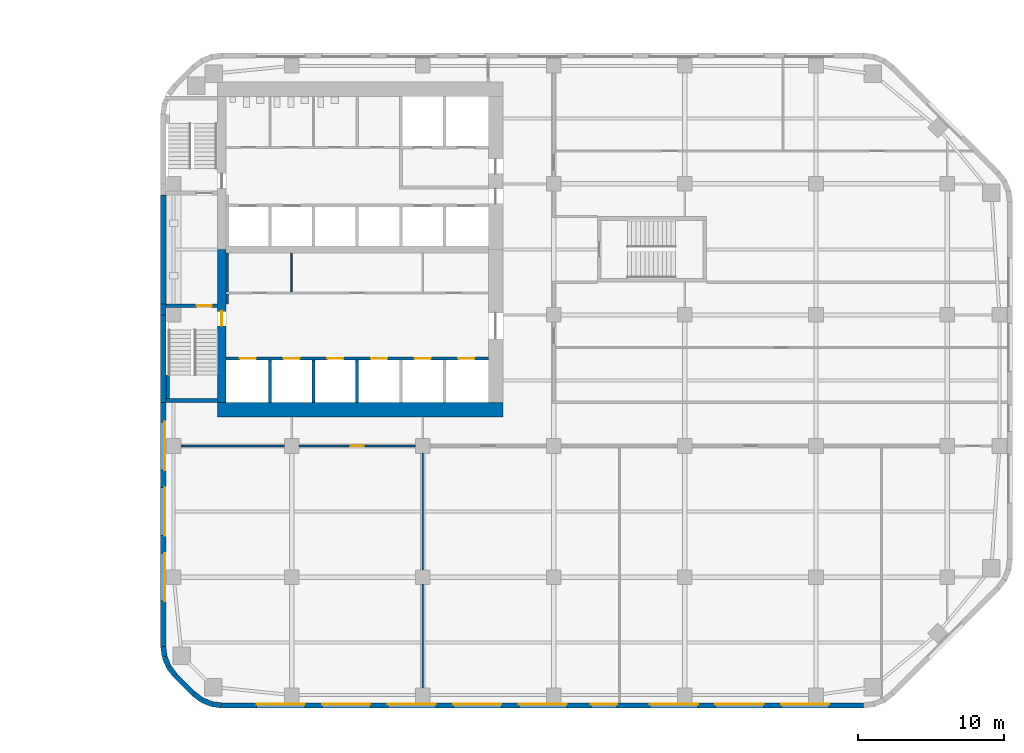
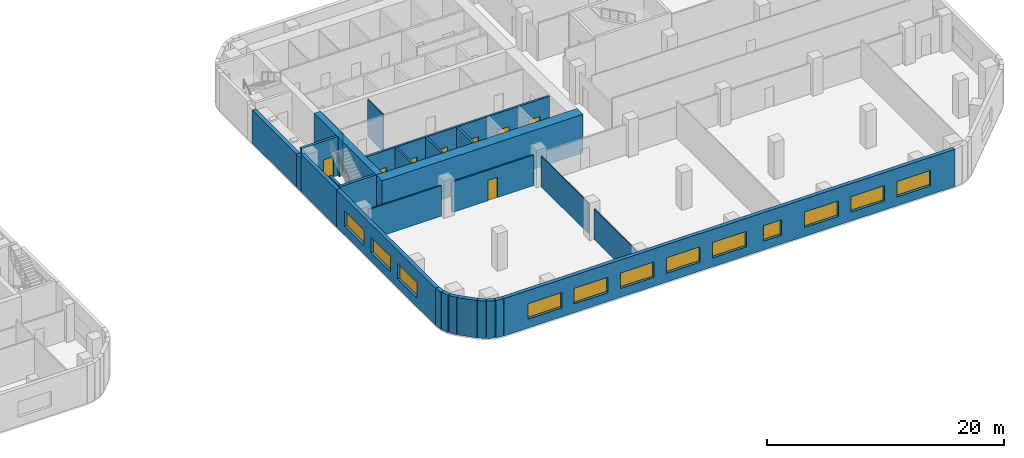
# One storey, part 8 of 15: 28 walls, 12 windows, 9 doors, 21 openings.
"""IFC4 building model written with IfcOpenShell, lengths in metres."""

from ifc_helpers import new_model, si_unit, direction, frame, frame_2d, origin, place, context, subcontext, project, spatial, rectangle, extrude, material, layer, layer_set, type_object, element, fill, save


model = new_model("IFC4")

# Units and contexts
model_context = context("Model", 3, precision=1e-05, world=origin(), true_north=direction((0.0, 1.0)))
body_context = subcontext(model_context, "Body", "Model", "MODEL_VIEW")
ifc_project = project(units=[si_unit("LENGTHUNIT", "METRE"), si_unit("AREAUNIT", "SQUARE_METRE"), si_unit("VOLUMEUNIT", "CUBIC_METRE"), si_unit("PLANEANGLEUNIT", "RADIAN"), si_unit("MASSUNIT", "GRAM", prefix="KILO")], contexts=[model_context])

# Site, building, storey
site_placement = place(None, origin())
site = spatial("IfcSite", under=ifc_project, at=site_placement, CompositionType="ELEMENT")
building_placement = place(site_placement, origin())
building = spatial("IfcBuilding", under=site, at=building_placement, Name="Cinnabar Reach Civic Tower", CompositionType="ELEMENT")
storey_placement = place(building_placement, frame((0.0, 0.0, 67.0)))
storey = spatial("IfcBuildingStorey", under=building, at=storey_placement, Name="L15", CompositionType="ELEMENT", Elevation=67.0)

# Walls
ifc_material_1 = material(Name="Facing brick with insulated backing", Category="masonry")
ifc_layer_1 = layer(ifc_material_1, 0.36)
ifc_layer_set_1 = layer_set([ifc_layer_1], Name="Brick corner wall")
wall_type_1 = type_object("IfcWallType", Name="Brick corner wall", PredefinedType="STANDARD", material=ifc_layer_set_1)
for number, where, z_axis, x_axis, name in (
    (1, (0.183, 4.2314, 0.0), (0.0, 0.0, 1.0), (0.13055608231, -0.99144092581, 0.0), "Brick corner wall"),
    (2, (0.2819, 3.5027, 0.0), (0.0, 0.0, 1.0), (0.382702709855, -0.923871547278, 0.0), "Brick corner wall"),
):
    element("IfcWall", number, at=place(storey_placement, frame(where, z_axis=z_axis, x_axis=x_axis)), inside=storey, type_object=wall_type_1, Name=name, PredefinedType="STANDARD", context=body_context, shape_type="SweptSolid", body=[
        extrude(rectangle(XDim=0.7131, YDim=0.36, at=frame_2d((0.3565, 0.0))), origin(), (0.0, 0.0, 1.0), 3.85),
    ])
for number, where, z_axis, x_axis, name in (
    (3, (0.566, 2.8245, 0.0), (0.0, 0.0, 1.0), (0.608802368033, -0.793321924995, 0.0), "Brick corner wall"),
    (4, (2.2587, 1.0002, 0.0), (0.0, 0.0, 1.0), (0.793321924995, -0.608802368033, 0.0), "Brick corner wall"),
):
    element("IfcWall", number, at=place(storey_placement, frame(where, z_axis=z_axis, x_axis=x_axis)), inside=storey, type_object=wall_type_1, Name=name, PredefinedType="STANDARD", context=body_context, shape_type="SweptSolid", body=[
        extrude(rectangle(XDim=0.7132, YDim=0.36, at=frame_2d((0.3566, 0.0))), origin(), (0.0, 0.0, 1.0), 3.85),
    ])
for number, where, z_axis, x_axis, name in (
    (5, (2.8439, 0.5548, 0.0), (0.0, 0.0, 1.0), (0.923871547278, -0.382702709855, 0.0), "Brick corner wall"),
    (6, (3.5244, 0.2761, 0.0), (0.0, 0.0, 1.0), (0.99144092581, -0.13055608231, 0.0), "Brick corner wall"),
):
    element("IfcWall", number, at=place(storey_placement, frame(where, z_axis=z_axis, x_axis=x_axis)), inside=storey, type_object=wall_type_1, Name=name, PredefinedType="STANDARD", context=body_context, shape_type="SweptSolid", body=[
        extrude(rectangle(XDim=0.7131, YDim=0.36, at=frame_2d((0.3565, 0.0))), origin(), (0.0, 0.0, 1.0), 3.85),
    ])

# Wall, openings, windows
ifc_layer_2 = layer(ifc_material_1, 0.36)
ifc_layer_set_2 = layer_set([ifc_layer_2], Name="Brick pier and spandrel wall")
wall_type_2 = type_object("IfcWallType", Name="Brick pier and spandrel wall", PredefinedType="STANDARD", material=ifc_layer_set_2)
wall_1_placement = place(storey_placement, frame((4.2426, 0.18, 0.0), z_axis=(0.0, 0.0, 1.0), x_axis=(1.0, 0.0, 0.0)))
wall_1 = element("IfcWall", 7, at=wall_1_placement, inside=storey, type_object=wall_type_2, Name="Brick facade wall", PredefinedType="STANDARD", context=body_context, shape_type="SweptSolid", body=[
    extrude(rectangle(XDim=44.0148, YDim=0.36, at=frame_2d((22.0074, 0.0))), origin(), (0.0, 0.0, 1.0), 3.85),
])
opening_1_placement = place(wall_1_placement, frame((2.3574, 0.0, 0.9)))
opening_1 = element("IfcOpeningElement", 8, at=opening_1_placement, cuts=wall_1, Name="Opening W1267", PredefinedType="OPENING", context=body_context, shape_type="SweptSolid", body=[
    extrude(rectangle(XDim=3.3, YDim=1.6, at=frame_2d((1.65, 0.8))), frame((0.0, 0.19, 0.0), z_axis=(0.0, -1.0, 0.0), x_axis=(1.0, 0.0, 0.0)), (0.0, 0.0, 1.0), 0.38),
])
opening_2_placement = place(wall_1_placement, frame((6.8574, 0.0, 0.9)))
opening_2 = element("IfcOpeningElement", 9, at=opening_2_placement, cuts=wall_1, Name="Opening W1268", PredefinedType="OPENING", context=body_context, shape_type="SweptSolid", body=[
    extrude(rectangle(XDim=3.3, YDim=1.6, at=frame_2d((1.65, 0.8))), frame((0.0, 0.19, 0.0), z_axis=(0.0, -1.0, 0.0), x_axis=(1.0, 0.0, 0.0)), (0.0, 0.0, 1.0), 0.38),
])
opening_3_placement = place(wall_1_placement, frame((11.3574, 0.0, 0.9)))
opening_3 = element("IfcOpeningElement", 10, at=opening_3_placement, cuts=wall_1, Name="Opening W1269", PredefinedType="OPENING", context=body_context, shape_type="SweptSolid", body=[
    extrude(rectangle(XDim=3.3, YDim=1.6, at=frame_2d((1.65, 0.8))), frame((0.0, 0.19, 0.0), z_axis=(0.0, -1.0, 0.0), x_axis=(1.0, 0.0, 0.0)), (0.0, 0.0, 1.0), 0.38),
])
opening_4_placement = place(wall_1_placement, frame((15.8574, 0.0, 0.9)))
opening_4 = element("IfcOpeningElement", 11, at=opening_4_placement, cuts=wall_1, Name="Opening W1270", PredefinedType="OPENING", context=body_context, shape_type="SweptSolid", body=[
    extrude(rectangle(XDim=3.3, YDim=1.6, at=frame_2d((1.65, 0.8))), frame((0.0, 0.19, 0.0), z_axis=(0.0, -1.0, 0.0), x_axis=(1.0, 0.0, 0.0)), (0.0, 0.0, 1.0), 0.38),
])
opening_5_placement = place(wall_1_placement, frame((20.3574, 0.0, 0.9)))
opening_5 = element("IfcOpeningElement", 12, at=opening_5_placement, cuts=wall_1, Name="Opening W1271", PredefinedType="OPENING", context=body_context, shape_type="SweptSolid", body=[
    extrude(rectangle(XDim=3.3, YDim=1.6, at=frame_2d((1.65, 0.8))), frame((0.0, 0.19, 0.0), z_axis=(0.0, -1.0, 0.0), x_axis=(1.0, 0.0, 0.0)), (0.0, 0.0, 1.0), 0.38),
])
opening_6_placement = place(wall_1_placement, frame((25.3074, 0.0, 0.9)))
opening_6 = element("IfcOpeningElement", 13, at=opening_6_placement, cuts=wall_1, Name="Opening W1272", PredefinedType="OPENING", context=body_context, shape_type="SweptSolid", body=[
    extrude(rectangle(XDim=1.8, YDim=1.6, at=frame_2d((0.9, 0.8))), frame((0.0, 0.19, 0.0), z_axis=(0.0, -1.0, 0.0), x_axis=(1.0, 0.0, 0.0)), (0.0, 0.0, 1.0), 0.38),
])
opening_7_placement = place(wall_1_placement, frame((29.3574, 0.0, 0.9)))
opening_7 = element("IfcOpeningElement", 14, at=opening_7_placement, cuts=wall_1, Name="Opening W1273", PredefinedType="OPENING", context=body_context, shape_type="SweptSolid", body=[
    extrude(rectangle(XDim=3.3, YDim=1.6, at=frame_2d((1.65, 0.8))), frame((0.0, 0.19, 0.0), z_axis=(0.0, -1.0, 0.0), x_axis=(1.0, 0.0, 0.0)), (0.0, 0.0, 1.0), 0.38),
])
opening_8_placement = place(wall_1_placement, frame((33.8574, 0.0, 0.9)))
opening_8 = element("IfcOpeningElement", 15, at=opening_8_placement, cuts=wall_1, Name="Opening W1274", PredefinedType="OPENING", context=body_context, shape_type="SweptSolid", body=[
    extrude(rectangle(XDim=3.3, YDim=1.6, at=frame_2d((1.65, 0.8))), frame((0.0, 0.19, 0.0), z_axis=(0.0, -1.0, 0.0), x_axis=(1.0, 0.0, 0.0)), (0.0, 0.0, 1.0), 0.38),
])
opening_9_placement = place(wall_1_placement, frame((38.3574, 0.0, 0.9)))
opening_9 = element("IfcOpeningElement", 16, at=opening_9_placement, cuts=wall_1, Name="Opening W1275", PredefinedType="OPENING", context=body_context, shape_type="SweptSolid", body=[
    extrude(rectangle(XDim=3.3, YDim=1.6, at=frame_2d((1.65, 0.8))), frame((0.0, 0.19, 0.0), z_axis=(0.0, -1.0, 0.0), x_axis=(1.0, 0.0, 0.0)), (0.0, 0.0, 1.0), 0.38),
])
ifc_material_2 = material(Name="Clear double glazing in aluminium frame", Category="aluminium")
window_type_1 = type_object("IfcWindowType", Name="Deep-set window A", PartitioningType="SINGLE_PANEL", PredefinedType="WINDOW", material=ifc_material_2)
window_1_placement = place(opening_1_placement, origin())
window_1 = element("IfcWindow", 17, at=window_1_placement, inside=storey, type_object=window_type_1, Name="Window south face", OverallHeight=1.6, OverallWidth=3.3, PartitioningType="SINGLE_PANEL", PredefinedType="WINDOW", context=body_context, shape_type="SweptSolid", body=[
    extrude(rectangle(XDim=3.3, YDim=1.6, at=frame_2d((1.65, 0.8))), frame((0.0, 0.13, 0.0), z_axis=(0.0, -1.0, 0.0), x_axis=(1.0, 0.0, 0.0)), (0.0, 0.0, 1.0), 0.06),
])
fill(opening_1, window_1)
window_2_placement = place(opening_2_placement, origin())
window_2 = element("IfcWindow", 18, at=window_2_placement, inside=storey, type_object=window_type_1, Name="Window south face", OverallHeight=1.6, OverallWidth=3.3, PartitioningType="SINGLE_PANEL", PredefinedType="WINDOW", context=body_context, shape_type="SweptSolid", body=[
    extrude(rectangle(XDim=3.3, YDim=1.6, at=frame_2d((1.65, 0.8))), frame((0.0, 0.13, 0.0), z_axis=(0.0, -1.0, 0.0), x_axis=(1.0, 0.0, 0.0)), (0.0, 0.0, 1.0), 0.06),
])
fill(opening_2, window_2)
window_3_placement = place(opening_3_placement, origin())
window_3 = element("IfcWindow", 19, at=window_3_placement, inside=storey, type_object=window_type_1, Name="Window south face", OverallHeight=1.6, OverallWidth=3.3, PartitioningType="SINGLE_PANEL", PredefinedType="WINDOW", context=body_context, shape_type="SweptSolid", body=[
    extrude(rectangle(XDim=3.3, YDim=1.6, at=frame_2d((1.65, 0.8))), frame((0.0, 0.13, 0.0), z_axis=(0.0, -1.0, 0.0), x_axis=(1.0, 0.0, 0.0)), (0.0, 0.0, 1.0), 0.06),
])
fill(opening_3, window_3)
window_4_placement = place(opening_4_placement, origin())
window_4 = element("IfcWindow", 20, at=window_4_placement, inside=storey, type_object=window_type_1, Name="Window south face", OverallHeight=1.6, OverallWidth=3.3, PartitioningType="SINGLE_PANEL", PredefinedType="WINDOW", context=body_context, shape_type="SweptSolid", body=[
    extrude(rectangle(XDim=3.3, YDim=1.6, at=frame_2d((1.65, 0.8))), frame((0.0, 0.13, 0.0), z_axis=(0.0, -1.0, 0.0), x_axis=(1.0, 0.0, 0.0)), (0.0, 0.0, 1.0), 0.06),
])
fill(opening_4, window_4)
window_5_placement = place(opening_5_placement, origin())
window_5 = element("IfcWindow", 21, at=window_5_placement, inside=storey, type_object=window_type_1, Name="Window south face", OverallHeight=1.6, OverallWidth=3.3, PartitioningType="SINGLE_PANEL", PredefinedType="WINDOW", context=body_context, shape_type="SweptSolid", body=[
    extrude(rectangle(XDim=3.3, YDim=1.6, at=frame_2d((1.65, 0.8))), frame((0.0, 0.13, 0.0), z_axis=(0.0, -1.0, 0.0), x_axis=(1.0, 0.0, 0.0)), (0.0, 0.0, 1.0), 0.06),
])
fill(opening_5, window_5)
window_6_placement = place(opening_7_placement, origin())
window_6 = element("IfcWindow", 22, at=window_6_placement, inside=storey, type_object=window_type_1, Name="Window south face", OverallHeight=1.6, OverallWidth=3.3, PartitioningType="SINGLE_PANEL", PredefinedType="WINDOW", context=body_context, shape_type="SweptSolid", body=[
    extrude(rectangle(XDim=3.3, YDim=1.6, at=frame_2d((1.65, 0.8))), frame((0.0, 0.13, 0.0), z_axis=(0.0, -1.0, 0.0), x_axis=(1.0, 0.0, 0.0)), (0.0, 0.0, 1.0), 0.06),
])
fill(opening_7, window_6)
window_7_placement = place(opening_8_placement, origin())
window_7 = element("IfcWindow", 23, at=window_7_placement, inside=storey, type_object=window_type_1, Name="Window south face", OverallHeight=1.6, OverallWidth=3.3, PartitioningType="SINGLE_PANEL", PredefinedType="WINDOW", context=body_context, shape_type="SweptSolid", body=[
    extrude(rectangle(XDim=3.3, YDim=1.6, at=frame_2d((1.65, 0.8))), frame((0.0, 0.13, 0.0), z_axis=(0.0, -1.0, 0.0), x_axis=(1.0, 0.0, 0.0)), (0.0, 0.0, 1.0), 0.06),
])
fill(opening_8, window_7)
window_8_placement = place(opening_9_placement, origin())
window_8 = element("IfcWindow", 24, at=window_8_placement, inside=storey, type_object=window_type_1, Name="Window south face", OverallHeight=1.6, OverallWidth=3.3, PartitioningType="SINGLE_PANEL", PredefinedType="WINDOW", context=body_context, shape_type="SweptSolid", body=[
    extrude(rectangle(XDim=3.3, YDim=1.6, at=frame_2d((1.65, 0.8))), frame((0.0, 0.13, 0.0), z_axis=(0.0, -1.0, 0.0), x_axis=(1.0, 0.0, 0.0)), (0.0, 0.0, 1.0), 0.06),
])
fill(opening_9, window_8)
window_type_2 = type_object("IfcWindowType", Name="Deep-set window D", PartitioningType="SINGLE_PANEL", PredefinedType="WINDOW", material=ifc_material_2)
window_9_placement = place(opening_6_placement, origin())
window_9 = element("IfcWindow", 25, at=window_9_placement, inside=storey, type_object=window_type_2, Name="Window south face", OverallHeight=1.6, OverallWidth=1.8, PartitioningType="SINGLE_PANEL", PredefinedType="WINDOW", context=body_context, shape_type="SweptSolid", body=[
    extrude(rectangle(XDim=1.8, YDim=1.6, at=frame_2d((0.9, 0.8))), frame((0.0, 0.13, 0.0), z_axis=(0.0, -1.0, 0.0), x_axis=(1.0, 0.0, 0.0)), (0.0, 0.0, 1.0), 0.06),
])
fill(opening_6, window_9)

# Walls
wall_2_placement = place(storey_placement, frame((0.18, 35.25, 0.0), z_axis=(0.0, 0.0, 1.0), x_axis=(0.0, -1.0, 0.0)))
element("IfcWall", 26, at=wall_2_placement, inside=storey, type_object=wall_type_2, Name="Brick facade wall", PredefinedType="STANDARD", context=body_context, shape_type="SweptSolid", body=[
    extrude(rectangle(XDim=7.5, YDim=0.36, at=frame_2d((3.75, 0.0))), origin(), (0.0, 0.0, 1.0), 3.436),
])
wall_3_placement = place(storey_placement, frame((0.18, 27.75, 0.0), z_axis=(0.0, 0.0, 1.0), x_axis=(0.0, -1.0, 0.0)))
element("IfcWall", 27, at=wall_3_placement, inside=storey, type_object=wall_type_2, Name="Brick facade wall", PredefinedType="STANDARD", context=body_context, shape_type="SweptSolid", body=[
    extrude(rectangle(XDim=0.75, YDim=0.36, at=frame_2d((0.375, 0.0))), origin(), (0.0, 0.0, 1.0), 3.436),
])
wall_4_placement = place(storey_placement, frame((0.18, 27.0, 0.0), z_axis=(0.0, 0.0, 1.0), x_axis=(0.0, -1.0, 0.0)))
element("IfcWall", 28, at=wall_4_placement, inside=storey, type_object=wall_type_2, Name="Brick facade wall", PredefinedType="STANDARD", context=body_context, shape_type="SweptSolid", body=[
    extrude(rectangle(XDim=6.0, YDim=0.36, at=frame_2d((3.0, 0.0))), origin(), (0.0, 0.0, 1.0), 3.85),
])

# Wall, openings, windows
wall_5_placement = place(storey_placement, frame((0.18, 21.0, 0.0), z_axis=(0.0, 0.0, 1.0), x_axis=(0.0, -1.0, 0.0)))
wall_5 = element("IfcWall", 29, at=wall_5_placement, inside=storey, type_object=wall_type_2, Name="Brick facade wall", PredefinedType="STANDARD", context=body_context, shape_type="SweptSolid", body=[
    extrude(rectangle(XDim=16.7574, YDim=0.36, at=frame_2d((8.3787, 0.0))), origin(), (0.0, 0.0, 1.0), 3.85),
])
opening_10_placement = place(wall_5_placement, frame((1.35, 0.0, 0.9)))
opening_10 = element("IfcOpeningElement", 30, at=opening_10_placement, cuts=wall_5, Name="Opening W1291", PredefinedType="OPENING", context=body_context, shape_type="SweptSolid", body=[
    extrude(rectangle(XDim=3.3, YDim=1.6, at=frame_2d((1.65, 0.8))), frame((0.0, 0.19, 0.0), z_axis=(0.0, -1.0, 0.0), x_axis=(1.0, 0.0, 0.0)), (0.0, 0.0, 1.0), 0.38),
])
opening_11_placement = place(wall_5_placement, frame((5.85, 0.0, 0.9)))
opening_11 = element("IfcOpeningElement", 31, at=opening_11_placement, cuts=wall_5, Name="Opening W1292", PredefinedType="OPENING", context=body_context, shape_type="SweptSolid", body=[
    extrude(rectangle(XDim=3.3, YDim=1.6, at=frame_2d((1.65, 0.8))), frame((0.0, 0.19, 0.0), z_axis=(0.0, -1.0, 0.0), x_axis=(1.0, 0.0, 0.0)), (0.0, 0.0, 1.0), 0.38),
])
opening_12_placement = place(wall_5_placement, frame((10.35, 0.0, 0.9)))
opening_12 = element("IfcOpeningElement", 32, at=opening_12_placement, cuts=wall_5, Name="Opening W1293", PredefinedType="OPENING", context=body_context, shape_type="SweptSolid", body=[
    extrude(rectangle(XDim=3.3, YDim=1.6, at=frame_2d((1.65, 0.8))), frame((0.0, 0.19, 0.0), z_axis=(0.0, -1.0, 0.0), x_axis=(1.0, 0.0, 0.0)), (0.0, 0.0, 1.0), 0.38),
])
window_10_placement = place(opening_10_placement, origin())
window_10 = element("IfcWindow", 33, at=window_10_placement, inside=storey, type_object=window_type_1, Name="Window west face", OverallHeight=1.6, OverallWidth=3.3, PartitioningType="SINGLE_PANEL", PredefinedType="WINDOW", context=body_context, shape_type="SweptSolid", body=[
    extrude(rectangle(XDim=3.3, YDim=1.6, at=frame_2d((1.65, 0.8))), frame((0.0, 0.13, 0.0), z_axis=(0.0, -1.0, 0.0), x_axis=(1.0, 0.0, 0.0)), (0.0, 0.0, 1.0), 0.06),
])
fill(opening_10, window_10)
window_11_placement = place(opening_11_placement, origin())
window_11 = element("IfcWindow", 34, at=window_11_placement, inside=storey, type_object=window_type_1, Name="Window west face", OverallHeight=1.6, OverallWidth=3.3, PartitioningType="SINGLE_PANEL", PredefinedType="WINDOW", context=body_context, shape_type="SweptSolid", body=[
    extrude(rectangle(XDim=3.3, YDim=1.6, at=frame_2d((1.65, 0.8))), frame((0.0, 0.13, 0.0), z_axis=(0.0, -1.0, 0.0), x_axis=(1.0, 0.0, 0.0)), (0.0, 0.0, 1.0), 0.06),
])
fill(opening_11, window_11)
window_12_placement = place(opening_12_placement, origin())
window_12 = element("IfcWindow", 35, at=window_12_placement, inside=storey, type_object=window_type_1, Name="Window west face", OverallHeight=1.6, OverallWidth=3.3, PartitioningType="SINGLE_PANEL", PredefinedType="WINDOW", context=body_context, shape_type="SweptSolid", body=[
    extrude(rectangle(XDim=3.3, YDim=1.6, at=frame_2d((1.65, 0.8))), frame((0.0, 0.13, 0.0), z_axis=(0.0, -1.0, 0.0), x_axis=(1.0, 0.0, 0.0)), (0.0, 0.0, 1.0), 0.06),
])
fill(opening_12, window_12)

# Walls
wall_6_placement = place(storey_placement, frame((1.006, 2.2486, 0.0), z_axis=(0.0, 0.0, 1.0), x_axis=(0.707106781187, -0.707106781187, 0.0)))
element("IfcWall", 36, at=wall_6_placement, inside=storey, type_object=wall_type_2, Name="Brick facade wall", PredefinedType="STANDARD", context=body_context, shape_type="SweptSolid", body=[
    extrude(rectangle(XDim=1.7573, YDim=0.36, at=frame_2d((0.8787, 0.0))), origin(), (0.0, 0.0, 1.0), 3.85),
])
ifc_material_3 = material(Name="Concrete C70", Category="concrete")
ifc_layer_3 = layer(ifc_material_3, 1.0)
ifc_layer_set_3 = layer_set([ifc_layer_3], Name="Core wall 1000 EI 180")
wall_type_3 = type_object("IfcWallType", Name="Core wall 1000 EI 180", PredefinedType="SOLIDWALL", material=ifc_layer_set_3)
wall_7_placement = place(storey_placement, frame((3.9, 20.5, 0.0), z_axis=(0.0, 0.0, 1.0), x_axis=(1.0, 0.0, 0.0)))
element("IfcWall", 37, at=wall_7_placement, inside=storey, type_object=wall_type_3, Name="Core wall T1 L15 S", PredefinedType="SOLIDWALL", context=body_context, shape_type="SweptSolid", body=[
    extrude(rectangle(XDim=19.6, YDim=1.0, at=frame_2d((9.8, 0.0))), origin(), (0.0, 0.0, 1.0), 4.0),
])

# Wall, opening, door
ifc_layer_4 = layer(ifc_material_3, 0.6)
ifc_layer_set_4 = layer_set([ifc_layer_4], Name="Core wall 600 EI 180")
wall_type_4 = type_object("IfcWallType", Name="Core wall 600 EI 180", PredefinedType="SOLIDWALL", material=ifc_layer_set_4)
wall_8_placement = place(storey_placement, frame((4.2, 31.5, 0.0), z_axis=(0.0, 0.0, 1.0), x_axis=(0.0, -1.0, 0.0)))
wall_8 = element("IfcWall", 38, at=wall_8_placement, inside=storey, type_object=wall_type_4, Name="Core wall T1 L15 W2", PredefinedType="SOLIDWALL", context=body_context, shape_type="SweptSolid", body=[
    extrude(rectangle(XDim=10.5, YDim=0.6, at=frame_2d((5.25, 0.0))), origin(), (0.0, 0.0, 1.0), 4.0),
])
opening_13_placement = place(wall_8_placement, frame((4.25, 0.0, 0.0)))
opening_13 = element("IfcOpeningElement", 39, at=opening_13_placement, cuts=wall_8, Name="Opening D3594", PredefinedType="OPENING", context=body_context, shape_type="SweptSolid", body=[
    extrude(rectangle(XDim=1.0, YDim=2.1, at=frame_2d((0.5, 1.05))), frame((0.0, 0.31, 0.0), z_axis=(0.0, -1.0, 0.0), x_axis=(1.0, 0.0, 0.0)), (0.0, 0.0, 1.0), 0.62),
])
ifc_material_4 = material(Name="Timber door leaf in steel frame", Category="steel")
door_type_1 = type_object("IfcDoorType", Name="Stair door 1000 x 2100 T1", OperationType="SINGLE_SWING_LEFT", PredefinedType="DOOR", material=ifc_material_4)
door_1_placement = place(opening_13_placement, frame((1.0, 0.0, 0.0), z_axis=(0.0, 0.0, 1.0), x_axis=(-1.0, 0.0, 0.0)))
door_1 = element("IfcDoor", 40, at=door_1_placement, inside=storey, type_object=door_type_1, Name="Door D3594", OperationType="SINGLE_SWING_RIGHT", OverallHeight=2.1, OverallWidth=1.0, PredefinedType="DOOR", context=body_context, shape_type="SweptSolid", body=[
    extrude(rectangle(XDim=1.0, YDim=2.1, at=frame_2d((0.5, 1.05))), frame((0.0, 0.025, 0.0), z_axis=(0.0, -1.0, 0.0), x_axis=(1.0, 0.0, 0.0)), (0.0, 0.0, 1.0), 0.05),
])
fill(opening_13, door_1)

ifc_material_5 = material(Name="Gypsum board on steel studs, double layer", Category="steel")
ifc_layer_5 = layer(ifc_material_5, 0.15)
ifc_layer_set_5 = layer_set([ifc_layer_5], Name="Corridor wall 150 T1")
wall_type_5 = type_object("IfcWallType", Name="Corridor wall 150 T1", PredefinedType="PARTITIONING", material=ifc_layer_set_5)
wall_9_placement = place(storey_placement, frame((9.5, 18.0, 0.0), z_axis=(0.0, 0.0, 1.0), x_axis=(1.0, 0.0, 0.0)))
wall_9 = element("IfcWall", 41, at=wall_9_placement, inside=storey, type_object=wall_type_5, Name="Corridor wall 24", PredefinedType="PARTITIONING", context=body_context, shape_type="SweptSolid", body=[
    extrude(rectangle(XDim=8.0, YDim=0.15, at=frame_2d((4.0, 0.0))), origin(), (0.0, 0.0, 1.0), 3.15),
])
opening_14_placement = place(wall_9_placement, frame((3.55, 0.0, 0.0)))
opening_14 = element("IfcOpeningElement", 42, at=opening_14_placement, cuts=wall_9, Name="Opening D3626", PredefinedType="OPENING", context=body_context, shape_type="SweptSolid", body=[
    extrude(rectangle(XDim=0.9, YDim=2.1, at=frame_2d((0.45, 1.05))), frame((0.0, 0.085, 0.0), z_axis=(0.0, -1.0, 0.0), x_axis=(1.0, 0.0, 0.0)), (0.0, 0.0, 1.0), 0.17),
])
door_type_2 = type_object("IfcDoorType", Name="Single swing door 900 x 2100 corridor T1", OperationType="SINGLE_SWING_LEFT", PredefinedType="DOOR", material=ifc_material_4)
door_2_placement = place(opening_14_placement, frame((0.9, 0.0, 0.0), z_axis=(0.0, 0.0, 1.0), x_axis=(-1.0, 0.0, 0.0)))
door_2 = element("IfcDoor", 43, at=door_2_placement, inside=storey, type_object=door_type_2, Name="Door D3626", OperationType="SINGLE_SWING_LEFT", OverallHeight=2.1, OverallWidth=0.9, PredefinedType="DOOR", context=body_context, shape_type="SweptSolid", body=[
    extrude(rectangle(XDim=0.9, YDim=2.1, at=frame_2d((0.45, 1.05))), frame((0.0, 0.025, 0.0), z_axis=(0.0, -1.0, 0.0), x_axis=(1.0, 0.0, 0.0)), (0.0, 0.0, 1.0), 0.05),
])
fill(opening_14, door_2)

# Walls
wall_10_placement = place(storey_placement, frame((1.4, 18.0, 0.0), z_axis=(0.0, 0.0, 1.0), x_axis=(1.0, 0.0, 0.0)))
element("IfcWall", 44, at=wall_10_placement, inside=storey, type_object=wall_type_5, Name="Corridor wall 25", PredefinedType="PARTITIONING", context=body_context, shape_type="SweptSolid", body=[
    extrude(rectangle(XDim=7.1, YDim=0.15, at=frame_2d((3.55, 0.0))), origin(), (0.0, 0.0, 1.0), 3.15),
])
wall_11_placement = place(storey_placement, frame((4.575, 27.75, 0.0), z_axis=(0.0, 0.0, 1.0), x_axis=(0.0, 1.0, 0.0)))
element("IfcWall", 45, at=wall_11_placement, inside=storey, type_object=wall_type_5, Name="Corridor wall 33", PredefinedType="PARTITIONING", context=body_context, shape_type="SweptSolid", body=[
    extrude(rectangle(XDim=0.675, YDim=0.15, at=frame_2d((0.3375, 0.0))), origin(), (0.0, 0.0, 1.0), 3.85),
])
wall_12_placement = place(storey_placement, frame((4.575, 28.575, 0.0), z_axis=(0.0, 0.0, 1.0), x_axis=(0.0, 1.0, 0.0)))
element("IfcWall", 46, at=wall_12_placement, inside=storey, type_object=wall_type_5, Name="Corridor wall 34", PredefinedType="PARTITIONING", context=body_context, shape_type="SweptSolid", body=[
    extrude(rectangle(XDim=2.675, YDim=0.15, at=frame_2d((1.3375, 0.0))), origin(), (0.0, 0.0, 1.0), 3.85),
])

# Wall, openings, doors
ifc_material_6 = material(Name="Blockwork", Category="masonry")
ifc_layer_6 = layer(ifc_material_6, 0.2)
ifc_layer_set_6 = layer_set([ifc_layer_6], Name="Lift shaft wall 200 T1")
wall_type_6 = type_object("IfcWallType", Name="Lift shaft wall 200 T1", PredefinedType="PARTITIONING", material=ifc_layer_set_6)
wall_13_placement = place(storey_placement, frame((4.5, 24.0, 0.0), z_axis=(0.0, 0.0, 1.0), x_axis=(1.0, 0.0, 0.0)))
wall_13 = element("IfcWall", 47, at=wall_13_placement, inside=storey, type_object=wall_type_6, Name="Lift shaft wall 4", PredefinedType="PARTITIONING", context=body_context, shape_type="SweptSolid", body=[
    extrude(rectangle(XDim=18.0, YDim=0.2, at=frame_2d((9.0, 0.0))), origin(), (0.0, 0.0, 1.0), 3.85),
])
opening_15_placement = place(wall_13_placement, frame((0.95, 0.0, 0.0)))
opening_15 = element("IfcOpeningElement", 48, at=opening_15_placement, cuts=wall_13, Name="Opening D3598", PredefinedType="OPENING", context=body_context, shape_type="SweptSolid", body=[
    extrude(rectangle(XDim=1.1, YDim=2.1, at=frame_2d((0.55, 1.05))), frame((0.0, 0.11, 0.0), z_axis=(0.0, -1.0, 0.0), x_axis=(1.0, 0.0, 0.0)), (0.0, 0.0, 1.0), 0.22),
])
opening_16_placement = place(wall_13_placement, frame((3.95, 0.0, 0.0)))
opening_16 = element("IfcOpeningElement", 49, at=opening_16_placement, cuts=wall_13, Name="Opening D3599", PredefinedType="OPENING", context=body_context, shape_type="SweptSolid", body=[
    extrude(rectangle(XDim=1.1, YDim=2.1, at=frame_2d((0.55, 1.05))), frame((0.0, 0.11, 0.0), z_axis=(0.0, -1.0, 0.0), x_axis=(1.0, 0.0, 0.0)), (0.0, 0.0, 1.0), 0.22),
])
opening_17_placement = place(wall_13_placement, frame((6.95, 0.0, 0.0)))
opening_17 = element("IfcOpeningElement", 50, at=opening_17_placement, cuts=wall_13, Name="Opening D3600", PredefinedType="OPENING", context=body_context, shape_type="SweptSolid", body=[
    extrude(rectangle(XDim=1.1, YDim=2.1, at=frame_2d((0.55, 1.05))), frame((0.0, 0.11, 0.0), z_axis=(0.0, -1.0, 0.0), x_axis=(1.0, 0.0, 0.0)), (0.0, 0.0, 1.0), 0.22),
])
opening_18_placement = place(wall_13_placement, frame((9.95, 0.0, 0.0)))
opening_18 = element("IfcOpeningElement", 51, at=opening_18_placement, cuts=wall_13, Name="Opening D3601", PredefinedType="OPENING", context=body_context, shape_type="SweptSolid", body=[
    extrude(rectangle(XDim=1.1, YDim=2.1, at=frame_2d((0.55, 1.05))), frame((0.0, 0.11, 0.0), z_axis=(0.0, -1.0, 0.0), x_axis=(1.0, 0.0, 0.0)), (0.0, 0.0, 1.0), 0.22),
])
opening_19_placement = place(wall_13_placement, frame((12.95, 0.0, 0.0)))
opening_19 = element("IfcOpeningElement", 52, at=opening_19_placement, cuts=wall_13, Name="Opening D3602", PredefinedType="OPENING", context=body_context, shape_type="SweptSolid", body=[
    extrude(rectangle(XDim=1.1, YDim=2.1, at=frame_2d((0.55, 1.05))), frame((0.0, 0.11, 0.0), z_axis=(0.0, -1.0, 0.0), x_axis=(1.0, 0.0, 0.0)), (0.0, 0.0, 1.0), 0.22),
])
opening_20_placement = place(wall_13_placement, frame((15.95, 0.0, 0.0)))
opening_20 = element("IfcOpeningElement", 53, at=opening_20_placement, cuts=wall_13, Name="Opening D3603", PredefinedType="OPENING", context=body_context, shape_type="SweptSolid", body=[
    extrude(rectangle(XDim=1.1, YDim=2.1, at=frame_2d((0.55, 1.05))), frame((0.0, 0.11, 0.0), z_axis=(0.0, -1.0, 0.0), x_axis=(1.0, 0.0, 0.0)), (0.0, 0.0, 1.0), 0.22),
])
ifc_material_7 = material(Name="Stainless steel sliding door", Category="steel")
door_type_3 = type_object("IfcDoorType", Name="Lift landing door 1100 x 2100 T1", OperationType="SLIDING_TO_LEFT", PredefinedType="DOOR", material=ifc_material_7)
door_3_placement = place(opening_15_placement, origin())
door_3 = element("IfcDoor", 54, at=door_3_placement, inside=storey, type_object=door_type_3, Name="Lift landing door LR1 L15", OperationType="SLIDING_TO_LEFT", OverallHeight=2.1, OverallWidth=1.1, PredefinedType="DOOR", context=body_context, shape_type="SweptSolid", body=[
    extrude(rectangle(XDim=1.1, YDim=2.1, at=frame_2d((0.55, 1.05))), frame((0.0, 0.025, 0.0), z_axis=(0.0, -1.0, 0.0), x_axis=(1.0, 0.0, 0.0)), (0.0, 0.0, 1.0), 0.05),
])
fill(opening_15, door_3)
door_4_placement = place(opening_16_placement, origin())
door_4 = element("IfcDoor", 55, at=door_4_placement, inside=storey, type_object=door_type_3, Name="Lift landing door LR2 L15", OperationType="SLIDING_TO_LEFT", OverallHeight=2.1, OverallWidth=1.1, PredefinedType="DOOR", context=body_context, shape_type="SweptSolid", body=[
    extrude(rectangle(XDim=1.1, YDim=2.1, at=frame_2d((0.55, 1.05))), frame((0.0, 0.025, 0.0), z_axis=(0.0, -1.0, 0.0), x_axis=(1.0, 0.0, 0.0)), (0.0, 0.0, 1.0), 0.05),
])
fill(opening_16, door_4)
door_5_placement = place(opening_17_placement, origin())
door_5 = element("IfcDoor", 56, at=door_5_placement, inside=storey, type_object=door_type_3, Name="Lift landing door LR3 L15", OperationType="SLIDING_TO_LEFT", OverallHeight=2.1, OverallWidth=1.1, PredefinedType="DOOR", context=body_context, shape_type="SweptSolid", body=[
    extrude(rectangle(XDim=1.1, YDim=2.1, at=frame_2d((0.55, 1.05))), frame((0.0, 0.025, 0.0), z_axis=(0.0, -1.0, 0.0), x_axis=(1.0, 0.0, 0.0)), (0.0, 0.0, 1.0), 0.05),
])
fill(opening_17, door_5)
door_6_placement = place(opening_18_placement, origin())
door_6 = element("IfcDoor", 57, at=door_6_placement, inside=storey, type_object=door_type_3, Name="Lift landing door LR4 L15", OperationType="SLIDING_TO_LEFT", OverallHeight=2.1, OverallWidth=1.1, PredefinedType="DOOR", context=body_context, shape_type="SweptSolid", body=[
    extrude(rectangle(XDim=1.1, YDim=2.1, at=frame_2d((0.55, 1.05))), frame((0.0, 0.025, 0.0), z_axis=(0.0, -1.0, 0.0), x_axis=(1.0, 0.0, 0.0)), (0.0, 0.0, 1.0), 0.05),
])
fill(opening_18, door_6)
door_7_placement = place(opening_19_placement, origin())
door_7 = element("IfcDoor", 58, at=door_7_placement, inside=storey, type_object=door_type_3, Name="Lift landing door LR5 L15", OperationType="SLIDING_TO_LEFT", OverallHeight=2.1, OverallWidth=1.1, PredefinedType="DOOR", context=body_context, shape_type="SweptSolid", body=[
    extrude(rectangle(XDim=1.1, YDim=2.1, at=frame_2d((0.55, 1.05))), frame((0.0, 0.025, 0.0), z_axis=(0.0, -1.0, 0.0), x_axis=(1.0, 0.0, 0.0)), (0.0, 0.0, 1.0), 0.05),
])
fill(opening_19, door_7)
door_8_placement = place(opening_20_placement, origin())
door_8 = element("IfcDoor", 59, at=door_8_placement, inside=storey, type_object=door_type_3, Name="Lift landing door LR6 L15", OperationType="SLIDING_TO_LEFT", OverallHeight=2.1, OverallWidth=1.1, PredefinedType="DOOR", context=body_context, shape_type="SweptSolid", body=[
    extrude(rectangle(XDim=1.1, YDim=2.1, at=frame_2d((0.55, 1.05))), frame((0.0, 0.025, 0.0), z_axis=(0.0, -1.0, 0.0), x_axis=(1.0, 0.0, 0.0)), (0.0, 0.0, 1.0), 0.05),
])
fill(opening_20, door_8)

# Walls
for number, where, z_axis, x_axis, name in (
    (60, (7.5, 21.0, 0.0), (0.0, 0.0, 1.0), (0.0, 1.0, 0.0), "Lift shaft wall 9"),
    (61, (10.5, 21.0, 0.0), (0.0, 0.0, 1.0), (0.0, 1.0, 0.0), "Lift shaft wall 11"),
    (62, (13.5, 21.0, 0.0), (0.0, 0.0, 1.0), (0.0, 1.0, 0.0), "Lift shaft wall 13"),
):
    element("IfcWall", number, at=place(storey_placement, frame(where, z_axis=z_axis, x_axis=x_axis)), inside=storey, type_object=wall_type_6, Name=name, PredefinedType="PARTITIONING", context=body_context, shape_type="SweptSolid", body=[
        extrude(rectangle(XDim=2.9, YDim=0.2, at=frame_2d((1.45, 0.0))), origin(), (0.0, 0.0, 1.0), 3.85),
    ])
ifc_material_8 = material(Name="Gypsum board on steel studs", Category="steel")
ifc_layer_7 = layer(ifc_material_8, 0.1)
ifc_layer_set_7 = layer_set([ifc_layer_7], Name="Partition wall 100 T1")
wall_type_7 = type_object("IfcWallType", Name="Partition wall 100 T1", PredefinedType="PARTITIONING", material=ifc_layer_set_7)
wall_14_placement = place(storey_placement, frame((18.0, 1.4, 0.0), z_axis=(0.0, 0.0, 1.0), x_axis=(0.0, 1.0, 0.0)))
element("IfcWall", 63, at=wall_14_placement, inside=storey, type_object=wall_type_7, Name="Partition wall 43", PredefinedType="PARTITIONING", context=body_context, shape_type="SweptSolid", body=[
    extrude(rectangle(XDim=7.1, YDim=0.1, at=frame_2d((3.55, 0.0))), origin(), (0.0, 0.0, 1.0), 3.158),
])
wall_15_placement = place(storey_placement, frame((18.0, 9.5, 0.0), z_axis=(0.0, 0.0, 1.0), x_axis=(0.0, 1.0, 0.0)))
element("IfcWall", 64, at=wall_15_placement, inside=storey, type_object=wall_type_7, Name="Partition wall 44", PredefinedType="PARTITIONING", context=body_context, shape_type="SweptSolid", body=[
    extrude(rectangle(XDim=8.0, YDim=0.1, at=frame_2d((4.0, 0.0))), origin(), (0.0, 0.0, 1.0), 3.158),
])
wall_16_placement = place(storey_placement, frame((9.0, 28.575, 0.0), z_axis=(0.0, 0.0, 1.0), x_axis=(0.0, 1.0, 0.0)))
element("IfcWall", 65, at=wall_16_placement, inside=storey, type_object=wall_type_7, Name="Partition wall 50", PredefinedType="PARTITIONING", context=body_context, shape_type="SweptSolid", body=[
    extrude(rectangle(XDim=2.675, YDim=0.1, at=frame_2d((1.3375, 0.0))), origin(), (0.0, 0.0, 1.0), 3.85),
])
ifc_material_9 = material(Name="Concrete C60", Category="concrete")
ifc_layer_8 = layer(ifc_material_9, 0.25)
ifc_layer_set_8 = layer_set([ifc_layer_8], Name="Stair shaft wall 250 EI 120")
wall_type_8 = type_object("IfcWallType", Name="Stair shaft wall 250 EI 120", PredefinedType="SOLIDWALL", material=ifc_layer_set_8)
wall_17_placement = place(storey_placement, frame((0.36, 21.125, 0.0), z_axis=(0.0, 0.0, 1.0), x_axis=(1.0, 0.0, 0.0)))
element("IfcWall", 66, at=wall_17_placement, inside=storey, type_object=wall_type_8, Name="Stair shaft wall T1-S1 L15", PredefinedType="SOLIDWALL", context=body_context, shape_type="SweptSolid", body=[
    extrude(rectangle(XDim=3.54, YDim=0.25, at=frame_2d((1.77, 0.0))), origin(), (0.0, 0.0, 1.0), 4.0),
])

# Wall, opening, door
wall_18_placement = place(storey_placement, frame((3.9, 27.625, 0.0), z_axis=(0.0, 0.0, 1.0), x_axis=(-1.0, 0.0, 0.0)))
wall_18 = element("IfcWall", 67, at=wall_18_placement, inside=storey, type_object=wall_type_8, Name="Stair shaft wall T1-S1 L15", PredefinedType="SOLIDWALL", context=body_context, shape_type="SweptSolid", body=[
    extrude(rectangle(XDim=3.54, YDim=0.25, at=frame_2d((1.77, 0.0))), origin(), (0.0, 0.0, 1.0), 4.0),
])
opening_21_placement = place(wall_18_placement, frame((0.4, 0.0, 0.0)))
opening_21 = element("IfcOpeningElement", 68, at=opening_21_placement, cuts=wall_18, Name="Opening D3595", PredefinedType="OPENING", context=body_context, shape_type="SweptSolid", body=[
    extrude(rectangle(XDim=1.0, YDim=2.1, at=frame_2d((0.5, 1.05))), frame((0.0, 0.135, 0.0), z_axis=(0.0, -1.0, 0.0), x_axis=(1.0, 0.0, 0.0)), (0.0, 0.0, 1.0), 0.27),
])
door_9_placement = place(opening_21_placement, origin())
door_9 = element("IfcDoor", 69, at=door_9_placement, inside=storey, type_object=door_type_1, Name="Door D3595", OperationType="SINGLE_SWING_LEFT", OverallHeight=2.1, OverallWidth=1.0, PredefinedType="DOOR", context=body_context, shape_type="SweptSolid", body=[
    extrude(rectangle(XDim=1.0, YDim=2.1, at=frame_2d((0.5, 1.05))), frame((0.0, 0.025, 0.0), z_axis=(0.0, -1.0, 0.0), x_axis=(1.0, 0.0, 0.0)), (0.0, 0.0, 1.0), 0.05),
])
fill(opening_21, door_9)

# Wall
ifc_material_10 = material(Name="Concrete C40/50", Category="concrete")
ifc_layer_9 = layer(ifc_material_10, 0.24)
ifc_layer_set_9 = layer_set([ifc_layer_9], Name="T1 landing bearer wall 240")
wall_type_9 = type_object("IfcWallType", Name="T1 landing bearer wall 240", PredefinedType="STANDARD", material=ifc_layer_set_9)
wall_19_placement = place(storey_placement, frame((0.48, 21.25, 0.0), z_axis=(0.0, 0.0, 1.0), x_axis=(0.0, 1.0, 0.0)))
element("IfcWall", 70, at=wall_19_placement, inside=storey, type_object=wall_type_9, Name="T1-S1 landing bearer wall", PredefinedType="STANDARD", context=body_context, shape_type="SweptSolid", body=[
    extrude(rectangle(XDim=1.62, YDim=0.24, at=frame_2d((0.81, 0.0))), origin(), (0.0, 0.0, 1.0), 4.0),
])

save(model, "model.ifc")
